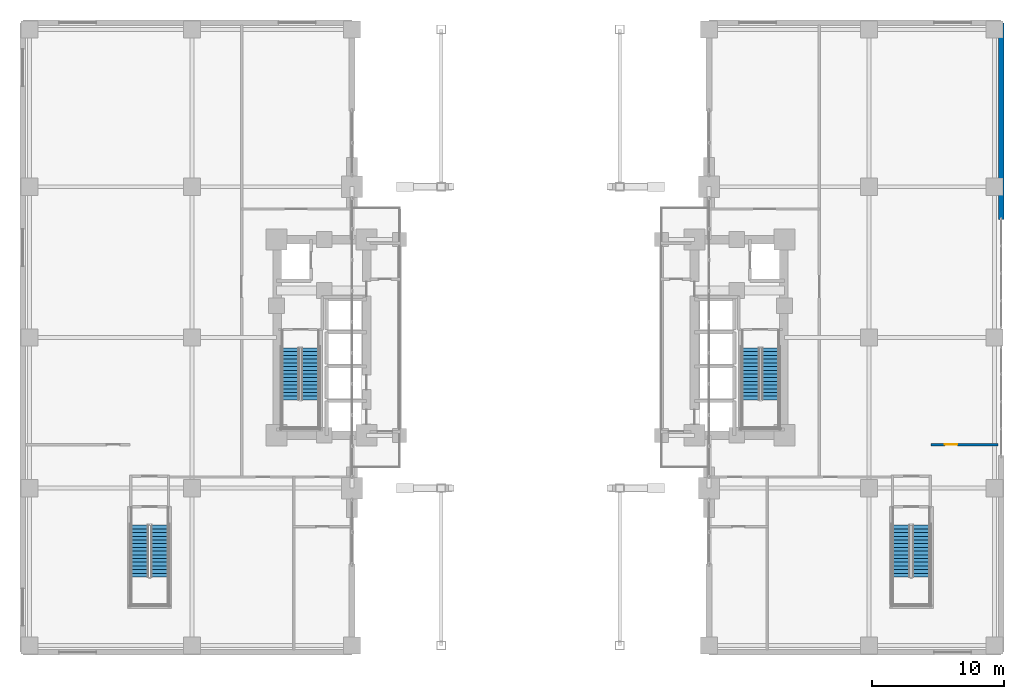
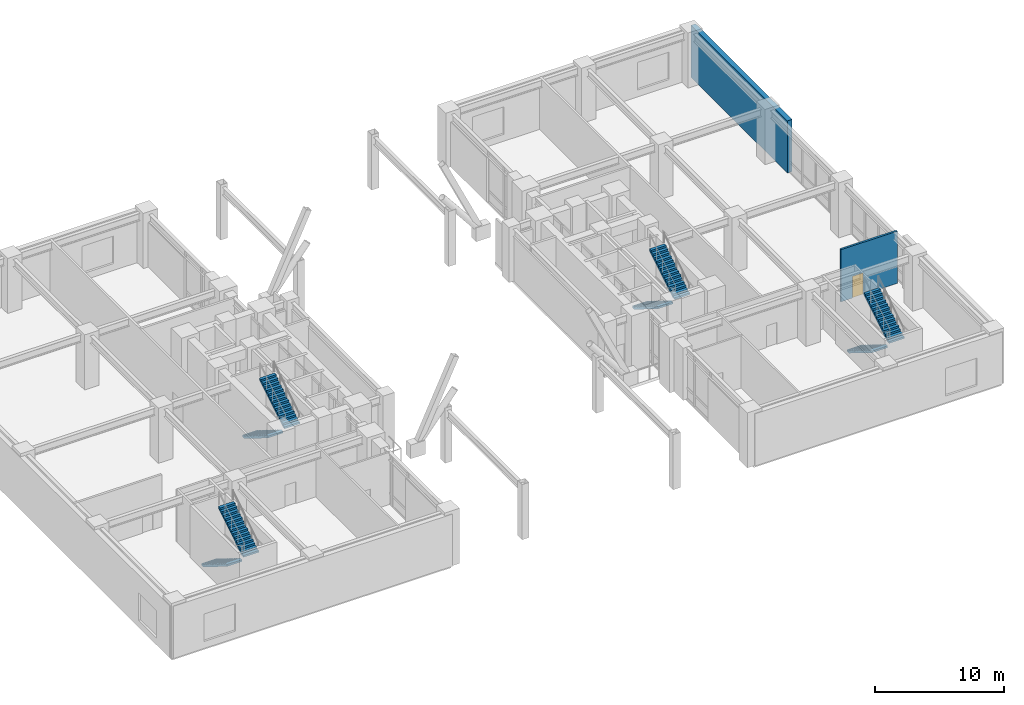
# One storey, part 22 of 26: 8 stair flights, 2 walls, 1 door, 1 opening, 4 elements without a shape of their own.
"""IFC4 building model written with IfcOpenShell, lengths in metres."""

from ifc_helpers import new_model, si_unit, direction, frame, frame_2d, origin, place, context, subcontext, project, spatial, polyline, rectangle, outline, extrude, material, layer, layer_set, type_object, element, fill, aggregate, save


model = new_model("IFC4")

# Units and contexts
model_context = context("Model", 3, precision=1e-05, world=origin(), true_north=direction((0.0, 1.0)))
body_context = subcontext(model_context, "Body", "Model", "MODEL_VIEW")
ifc_project = project(units=[si_unit("LENGTHUNIT", "METRE"), si_unit("AREAUNIT", "SQUARE_METRE"), si_unit("VOLUMEUNIT", "CUBIC_METRE"), si_unit("PLANEANGLEUNIT", "RADIAN"), si_unit("MASSUNIT", "GRAM", prefix="KILO")], contexts=[model_context])

# Site, building, storey
site_placement = place(None, origin())
site = spatial("IfcSite", under=ifc_project, at=site_placement, CompositionType="ELEMENT")
building_placement = place(site_placement, origin())
building = spatial("IfcBuilding", under=site, at=building_placement, Name="Voryun Gate Residences", CompositionType="ELEMENT")
storey_placement = place(building_placement, frame((0.0, 0.0, 10.39990234375)))
storey = spatial("IfcBuildingStorey", under=building, at=storey_placement, Name="L02", CompositionType="ELEMENT", Elevation=10.39990234375)

# Wall, opening, door
ifc_material_1 = material(Name="Gypsum acoustic fireboard")
ifc_layer_1 = layer(ifc_material_1, 0.179931640625, Name="W_CORR_RATED_180")
ifc_layer_set_1 = layer_set([ifc_layer_1], Name="Gypsum acoustic fireboard")
wall_type_1 = type_object("IfcWallType", Name="W_CORR_RATED_180", PredefinedType="PARTITIONING", material=ifc_layer_set_1)
wall_1_placement = place(storey_placement, frame((30.300048828125, -8.10009765625, 0.0), z_axis=(0.0, 0.0, 1.0), x_axis=(1.0, 0.0, 0.0)))
wall_1 = element("IfcWall", 1, at=wall_1_placement, inside=storey, type_object=wall_type_1, Name="Partition wall WP-L02-ECS1", PredefinedType="PARTITIONING", context=body_context, shape_type="SweptSolid", body=[
    extrude(rectangle(XDim=5.050048828125, YDim=0.179931640625, at=frame_2d((2.52490234375, 0.0))), origin(), (0.0, 0.0, 1.0), 4.920166015625),
])
opening_placement = place(wall_1_placement, frame((1.0400390625, 0.0, 0.0)))
opening = element("IfcOpeningElement", 2, at=opening_placement, cuts=wall_1, Name="Opening D-INT-1", PredefinedType="OPENING", context=body_context, shape_type="SweptSolid", body=[
    extrude(rectangle(XDim=0.949951171875, YDim=2.050048828125, at=frame_2d((0.47509765625, 1.02490234375))), frame((0.0, 0.099853515625, 0.0), z_axis=(0.0, -1.0, 0.0), x_axis=(1.0, 0.0, 0.0)), (0.0, 0.0, 1.0), 0.199951171875),
])
ifc_material_2 = material(Name="Architectural oak veneer")
door_type = type_object("IfcDoorType", Name="DR_INT_ROOM_950", OperationType="NOTDEFINED", PredefinedType="DOOR", material=ifc_material_2)
door_placement = place(opening_placement, origin())
door = element("IfcDoor", 3, at=door_placement, inside=storey, type_object=door_type, Name="Door DR-L02-ED3B", OperationType="SINGLE_SWING_RIGHT", OverallHeight=2.050048828125, OverallWidth=0.949951171875, PredefinedType="DOOR", context=body_context, shape_type="SweptSolid", body=[
    extrude(rectangle(XDim=0.949951171875, YDim=2.050048828125, at=frame_2d((0.47509765625, 1.02490234375))), frame((0.0, 0.02490234375, 0.0), z_axis=(0.0, -1.0, 0.0), x_axis=(1.0, 0.0, 0.0)), (0.0, 0.0, 1.0), 0.050048828125),
])
fill(opening, door)

# Wall
ifc_material_3 = material(Name="Granite masonry", Category="masonry")
ifc_layer_2 = layer(ifc_material_3, 0.419921875, Name="W_EXT_PODIUM_420")
ifc_layer_set_2 = layer_set([ifc_layer_2], Name="Granite masonry")
wall_type_2 = type_object("IfcWallType", Name="W_EXT_PODIUM_420", PredefinedType="ELEMENTEDWALL", material=ifc_layer_set_2)
wall_2_placement = place(storey_placement, frame((35.60009765625, 8.919921875, 0.0), z_axis=(0.0, 0.0, 1.0), x_axis=(0.0, 1.0, 0.0)))
element("IfcWall", 4, at=wall_2_placement, inside=storey, type_object=wall_type_2, Name="Exterior wall WEP-L02-EP-2B", PredefinedType="ELEMENTEDWALL", context=body_context, shape_type="SweptSolid", body=[
    extrude(rectangle(XDim=14.880126953125, YDim=0.419921875, at=frame_2d((7.43994140625, 0.0))), origin(), (0.0, 0.0, 1.0), 4.920166015625),
])

# Stair, stair flights
ifc_material_4 = material(Name="Concrete C40/50", Category="concrete")
stair_type_1 = type_object("IfcStairType", Name="STR_CORE_DOGLEG_1350", PredefinedType="HALF_TURN_STAIR", material=ifc_material_4)
stair_1_placement = place(storey_placement, origin())
stair_1 = element("IfcStair", 5, at=stair_1_placement, inside=storey, type_object=stair_type_1, Name="L02 Special Escape Stair ST-W1", PredefinedType="HALF_TURN_STAIR")
ifc_material_5 = material(Name="Concrete C40/50", Category="concrete")
stair_flight_type_1 = type_object("IfcStairFlightType", Name="FLT_CORE_1350", PredefinedType="STRAIGHT", material=ifc_material_5)
stair_flight_1_placement = place(storey_placement, frame((-18.14990234375, -0.800048828125, 0.0), z_axis=(0.0, 0.0, 1.0), x_axis=(0.0, -1.0, 0.0)))
stair_flight_1 = element("IfcStairFlight", 6, at=stair_flight_1_placement, type_object=stair_flight_type_1, Name="ST-W1 flight 1", NumberOfRisers=15, NumberOfTreads=14, PredefinedType="STRAIGHT", RiserHeight=0.173333333, TreadLength=0.28, context=body_context, shape_type="SweptSolid", body=[
    extrude(outline(polyline([(0.0, 0.0), (0.0, 0.17333984375), (0.280029296875, 0.17333984375), (0.280029296875, 0.3466796875), (0.56005859375, 0.3466796875), (0.56005859375, 0.52001953125), (0.840087890625, 0.52001953125), (0.840087890625, 0.693359375), (1.1201171875, 0.693359375), (1.1201171875, 0.86669921875), (1.39990234375, 0.86669921875), (1.39990234375, 1.0400390625), (1.679931640625, 1.0400390625), (1.679931640625, 1.21337890625), (1.9599609375, 1.21337890625), (1.9599609375, 1.38671875), (2.239990234375, 1.38671875), (2.239990234375, 1.56005859375), (2.52001953125, 1.56005859375), (2.52001953125, 1.7333984375), (2.800048828125, 1.7333984375), (2.800048828125, 1.90673828125), (3.080078125, 1.90673828125), (3.080078125, 2.080078125), (3.360107421875, 2.080078125), (3.360107421875, 2.25341796875), (3.639892578125, 2.25341796875), (3.639892578125, 2.4267578125), (3.919921875, 2.4267578125), (3.919921875, 2.60009765625), (3.919921875, 2.250244140625), (0.284912109375, 0.0), (0.0, 0.0)])), frame((0.0, 0.675048828125, 0.0), z_axis=(0.0, -1.0, 0.0), x_axis=(1.0, 0.0, 0.0)), (0.0, 0.0, 1.0), 1.35009765625),
])
stair_flight_2_placement = place(storey_placement, frame((-16.64990234375, -4.719970703125, 2.60009765625), z_axis=(0.0, 0.0, 1.0), x_axis=(0.0, 1.0, 0.0)))
stair_flight_2 = element("IfcStairFlight", 7, at=stair_flight_2_placement, type_object=stair_flight_type_1, Name="ST-W1 flight 2", NumberOfRisers=15, NumberOfTreads=14, PredefinedType="STRAIGHT", RiserHeight=0.173333333, TreadLength=0.28, context=body_context, shape_type="SweptSolid", body=[
    extrude(outline(polyline([(0.0, 0.0), (0.0, 0.17333984375), (0.280029296875, 0.17333984375), (0.280029296875, 0.3466796875), (0.56005859375, 0.3466796875), (0.56005859375, 0.52001953125), (0.840087890625, 0.52001953125), (0.840087890625, 0.693359375), (1.1201171875, 0.693359375), (1.1201171875, 0.86669921875), (1.39990234375, 0.86669921875), (1.39990234375, 1.0400390625), (1.679931640625, 1.0400390625), (1.679931640625, 1.21337890625), (1.9599609375, 1.21337890625), (1.9599609375, 1.38671875), (2.239990234375, 1.38671875), (2.239990234375, 1.56005859375), (2.52001953125, 1.56005859375), (2.52001953125, 1.7333984375), (2.800048828125, 1.7333984375), (2.800048828125, 1.90673828125), (3.080078125, 1.90673828125), (3.080078125, 2.080078125), (3.360107421875, 2.080078125), (3.360107421875, 2.25341796875), (3.639892578125, 2.25341796875), (3.639892578125, 2.4267578125), (3.919921875, 2.4267578125), (3.919921875, 2.60009765625), (3.919921875, 2.250244140625), (0.284912109375, 0.0), (0.0, 0.0)])), frame((0.0, 0.675048828125, 0.0), z_axis=(0.0, -1.0, 0.0), x_axis=(1.0, 0.0, 0.0)), (0.0, 0.0, 1.0), 1.35009765625),
])
aggregate(stair_1, [stair_flight_1, stair_flight_2])

stair_2_placement = place(storey_placement, origin())
stair_2 = element("IfcStair", 8, at=stair_2_placement, inside=storey, type_object=stair_type_1, Name="L02 Special Escape Stair ST-E1", PredefinedType="HALF_TURN_STAIR")
stair_flight_3_placement = place(storey_placement, frame((16.64990234375, -0.800048828125, 0.0), z_axis=(0.0, 0.0, 1.0), x_axis=(0.0, -1.0, 0.0)))
stair_flight_3 = element("IfcStairFlight", 9, at=stair_flight_3_placement, type_object=stair_flight_type_1, Name="ST-E1 flight 1", NumberOfRisers=15, NumberOfTreads=14, PredefinedType="STRAIGHT", RiserHeight=0.173333333, TreadLength=0.28, context=body_context, shape_type="SweptSolid", body=[
    extrude(outline(polyline([(0.0, 0.0), (0.0, 0.17333984375), (0.280029296875, 0.17333984375), (0.280029296875, 0.3466796875), (0.56005859375, 0.3466796875), (0.56005859375, 0.52001953125), (0.840087890625, 0.52001953125), (0.840087890625, 0.693359375), (1.1201171875, 0.693359375), (1.1201171875, 0.86669921875), (1.39990234375, 0.86669921875), (1.39990234375, 1.0400390625), (1.679931640625, 1.0400390625), (1.679931640625, 1.21337890625), (1.9599609375, 1.21337890625), (1.9599609375, 1.38671875), (2.239990234375, 1.38671875), (2.239990234375, 1.56005859375), (2.52001953125, 1.56005859375), (2.52001953125, 1.7333984375), (2.800048828125, 1.7333984375), (2.800048828125, 1.90673828125), (3.080078125, 1.90673828125), (3.080078125, 2.080078125), (3.360107421875, 2.080078125), (3.360107421875, 2.25341796875), (3.639892578125, 2.25341796875), (3.639892578125, 2.4267578125), (3.919921875, 2.4267578125), (3.919921875, 2.60009765625), (3.919921875, 2.250244140625), (0.284912109375, 0.0), (0.0, 0.0)])), frame((0.0, 0.675048828125, 0.0), z_axis=(0.0, -1.0, 0.0), x_axis=(1.0, 0.0, 0.0)), (0.0, 0.0, 1.0), 1.35009765625),
])
stair_flight_4_placement = place(storey_placement, frame((18.14990234375, -4.719970703125, 2.60009765625), z_axis=(0.0, 0.0, 1.0), x_axis=(0.0, 1.0, 0.0)))
stair_flight_4 = element("IfcStairFlight", 10, at=stair_flight_4_placement, type_object=stair_flight_type_1, Name="ST-E1 flight 2", NumberOfRisers=15, NumberOfTreads=14, PredefinedType="STRAIGHT", RiserHeight=0.173333333, TreadLength=0.28, context=body_context, shape_type="SweptSolid", body=[
    extrude(outline(polyline([(0.0, 0.0), (0.0, 0.17333984375), (0.280029296875, 0.17333984375), (0.280029296875, 0.3466796875), (0.56005859375, 0.3466796875), (0.56005859375, 0.52001953125), (0.840087890625, 0.52001953125), (0.840087890625, 0.693359375), (1.1201171875, 0.693359375), (1.1201171875, 0.86669921875), (1.39990234375, 0.86669921875), (1.39990234375, 1.0400390625), (1.679931640625, 1.0400390625), (1.679931640625, 1.21337890625), (1.9599609375, 1.21337890625), (1.9599609375, 1.38671875), (2.239990234375, 1.38671875), (2.239990234375, 1.56005859375), (2.52001953125, 1.56005859375), (2.52001953125, 1.7333984375), (2.800048828125, 1.7333984375), (2.800048828125, 1.90673828125), (3.080078125, 1.90673828125), (3.080078125, 2.080078125), (3.360107421875, 2.080078125), (3.360107421875, 2.25341796875), (3.639892578125, 2.25341796875), (3.639892578125, 2.4267578125), (3.919921875, 2.4267578125), (3.919921875, 2.60009765625), (3.919921875, 2.250244140625), (0.284912109375, 0.0), (0.0, 0.0)])), frame((0.0, 0.675048828125, 0.0), z_axis=(0.0, -1.0, 0.0), x_axis=(1.0, 0.0, 0.0)), (0.0, 0.0, 1.0), 1.35009765625),
])
aggregate(stair_2, [stair_flight_3, stair_flight_4])

ifc_material_6 = material(Name="Concrete C40/50", Category="concrete")
stair_type_2 = type_object("IfcStairType", Name="STR_CROWN_DOGLEG_1250", PredefinedType="HALF_TURN_STAIR", material=ifc_material_6)
stair_3_placement = place(storey_placement, origin())
stair_3 = element("IfcStair", 11, at=stair_3_placement, inside=storey, type_object=stair_type_2, Name="L02 Special Escape Stair ST-P1", PredefinedType="HALF_TURN_STAIR")
ifc_material_7 = material(Name="Concrete C40/50", Category="concrete")
stair_flight_type_2 = type_object("IfcStairFlightType", Name="FLT_CROWN_1250", PredefinedType="STRAIGHT", material=ifc_material_7)
stair_flight_5_placement = place(storey_placement, frame((-29.550048828125, -14.199951171875, 0.0), z_axis=(0.0, 0.0, 1.0), x_axis=(0.0, -1.0, 0.0)))
stair_flight_5 = element("IfcStairFlight", 12, at=stair_flight_5_placement, type_object=stair_flight_type_2, Name="ST-P1 flight 1", NumberOfRisers=15, NumberOfTreads=14, PredefinedType="STRAIGHT", RiserHeight=0.173333333, TreadLength=0.28, context=body_context, shape_type="SweptSolid", body=[
    extrude(outline(polyline([(0.0, 0.0), (0.0, 0.17333984375), (0.280029296875, 0.17333984375), (0.280029296875, 0.3466796875), (0.56005859375, 0.3466796875), (0.56005859375, 0.52001953125), (0.840087890625, 0.52001953125), (0.840087890625, 0.693359375), (1.1201171875, 0.693359375), (1.1201171875, 0.86669921875), (1.39990234375, 0.86669921875), (1.39990234375, 1.0400390625), (1.679931640625, 1.0400390625), (1.679931640625, 1.21337890625), (1.9599609375, 1.21337890625), (1.9599609375, 1.38671875), (2.239990234375, 1.38671875), (2.239990234375, 1.56005859375), (2.52001953125, 1.56005859375), (2.52001953125, 1.7333984375), (2.800048828125, 1.7333984375), (2.800048828125, 1.90673828125), (3.080078125, 1.90673828125), (3.080078125, 2.080078125), (3.360107421875, 2.080078125), (3.360107421875, 2.25341796875), (3.639892578125, 2.25341796875), (3.639892578125, 2.4267578125), (3.919921875, 2.4267578125), (3.919921875, 2.60009765625), (3.919921875, 2.250244140625), (0.284912109375, 0.0), (0.0, 0.0)])), frame((0.0, 0.675048828125, 0.0), z_axis=(0.0, -1.0, 0.0), x_axis=(1.0, 0.0, 0.0)), (0.0, 0.0, 1.0), 1.35009765625),
])
stair_flight_6_placement = place(storey_placement, frame((-28.050048828125, -18.1201171875, 2.60009765625), z_axis=(0.0, 0.0, 1.0), x_axis=(0.0, 1.0, 0.0)))
stair_flight_6 = element("IfcStairFlight", 13, at=stair_flight_6_placement, type_object=stair_flight_type_2, Name="ST-P1 flight 2", NumberOfRisers=15, NumberOfTreads=14, PredefinedType="STRAIGHT", RiserHeight=0.173333333, TreadLength=0.28, context=body_context, shape_type="SweptSolid", body=[
    extrude(outline(polyline([(0.0, 0.0), (0.0, 0.17333984375), (0.280029296875, 0.17333984375), (0.280029296875, 0.3466796875), (0.56005859375, 0.3466796875), (0.56005859375, 0.52001953125), (0.840087890625, 0.52001953125), (0.840087890625, 0.693359375), (1.1201171875, 0.693359375), (1.1201171875, 0.86669921875), (1.39990234375, 0.86669921875), (1.39990234375, 1.0400390625), (1.679931640625, 1.0400390625), (1.679931640625, 1.21337890625), (1.9599609375, 1.21337890625), (1.9599609375, 1.38671875), (2.239990234375, 1.38671875), (2.239990234375, 1.56005859375), (2.52001953125, 1.56005859375), (2.52001953125, 1.7333984375), (2.800048828125, 1.7333984375), (2.800048828125, 1.90673828125), (3.080078125, 1.90673828125), (3.080078125, 2.080078125), (3.360107421875, 2.080078125), (3.360107421875, 2.25341796875), (3.639892578125, 2.25341796875), (3.639892578125, 2.4267578125), (3.919921875, 2.4267578125), (3.919921875, 2.60009765625), (3.919921875, 2.250244140625), (0.284912109375, 0.0), (0.0, 0.0)])), frame((0.0, 0.675048828125, 0.0), z_axis=(0.0, -1.0, 0.0), x_axis=(1.0, 0.0, 0.0)), (0.0, 0.0, 1.0), 1.35009765625),
])
aggregate(stair_3, [stair_flight_5, stair_flight_6])

stair_4_placement = place(storey_placement, origin())
stair_4 = element("IfcStair", 14, at=stair_4_placement, inside=storey, type_object=stair_type_2, Name="L02 Special Escape Stair ST-P2", PredefinedType="HALF_TURN_STAIR")
stair_flight_7_placement = place(storey_placement, frame((28.050048828125, -14.199951171875, 0.0), z_axis=(0.0, 0.0, 1.0), x_axis=(0.0, -1.0, 0.0)))
stair_flight_7 = element("IfcStairFlight", 15, at=stair_flight_7_placement, type_object=stair_flight_type_2, Name="ST-P2 flight 1", NumberOfRisers=15, NumberOfTreads=14, PredefinedType="STRAIGHT", RiserHeight=0.173333333, TreadLength=0.28, context=body_context, shape_type="SweptSolid", body=[
    extrude(outline(polyline([(0.0, 0.0), (0.0, 0.17333984375), (0.280029296875, 0.17333984375), (0.280029296875, 0.3466796875), (0.56005859375, 0.3466796875), (0.56005859375, 0.52001953125), (0.840087890625, 0.52001953125), (0.840087890625, 0.693359375), (1.1201171875, 0.693359375), (1.1201171875, 0.86669921875), (1.39990234375, 0.86669921875), (1.39990234375, 1.0400390625), (1.679931640625, 1.0400390625), (1.679931640625, 1.21337890625), (1.9599609375, 1.21337890625), (1.9599609375, 1.38671875), (2.239990234375, 1.38671875), (2.239990234375, 1.56005859375), (2.52001953125, 1.56005859375), (2.52001953125, 1.7333984375), (2.800048828125, 1.7333984375), (2.800048828125, 1.90673828125), (3.080078125, 1.90673828125), (3.080078125, 2.080078125), (3.360107421875, 2.080078125), (3.360107421875, 2.25341796875), (3.639892578125, 2.25341796875), (3.639892578125, 2.4267578125), (3.919921875, 2.4267578125), (3.919921875, 2.60009765625), (3.919921875, 2.250244140625), (0.284912109375, 0.0), (0.0, 0.0)])), frame((0.0, 0.675048828125, 0.0), z_axis=(0.0, -1.0, 0.0), x_axis=(1.0, 0.0, 0.0)), (0.0, 0.0, 1.0), 1.35009765625),
])
stair_flight_8_placement = place(storey_placement, frame((29.550048828125, -18.1201171875, 2.60009765625), z_axis=(0.0, 0.0, 1.0), x_axis=(0.0, 1.0, 0.0)))
stair_flight_8 = element("IfcStairFlight", 16, at=stair_flight_8_placement, type_object=stair_flight_type_2, Name="ST-P2 flight 2", NumberOfRisers=15, NumberOfTreads=14, PredefinedType="STRAIGHT", RiserHeight=0.173333333, TreadLength=0.28, context=body_context, shape_type="SweptSolid", body=[
    extrude(outline(polyline([(0.0, 0.0), (0.0, 0.17333984375), (0.280029296875, 0.17333984375), (0.280029296875, 0.3466796875), (0.56005859375, 0.3466796875), (0.56005859375, 0.52001953125), (0.840087890625, 0.52001953125), (0.840087890625, 0.693359375), (1.1201171875, 0.693359375), (1.1201171875, 0.86669921875), (1.39990234375, 0.86669921875), (1.39990234375, 1.0400390625), (1.679931640625, 1.0400390625), (1.679931640625, 1.21337890625), (1.9599609375, 1.21337890625), (1.9599609375, 1.38671875), (2.239990234375, 1.38671875), (2.239990234375, 1.56005859375), (2.52001953125, 1.56005859375), (2.52001953125, 1.7333984375), (2.800048828125, 1.7333984375), (2.800048828125, 1.90673828125), (3.080078125, 1.90673828125), (3.080078125, 2.080078125), (3.360107421875, 2.080078125), (3.360107421875, 2.25341796875), (3.639892578125, 2.25341796875), (3.639892578125, 2.4267578125), (3.919921875, 2.4267578125), (3.919921875, 2.60009765625), (3.919921875, 2.250244140625), (0.284912109375, 0.0), (0.0, 0.0)])), frame((0.0, 0.675048828125, 0.0), z_axis=(0.0, -1.0, 0.0), x_axis=(1.0, 0.0, 0.0)), (0.0, 0.0, 1.0), 1.35009765625),
])
aggregate(stair_4, [stair_flight_7, stair_flight_8])

save(model, "model.ifc")
